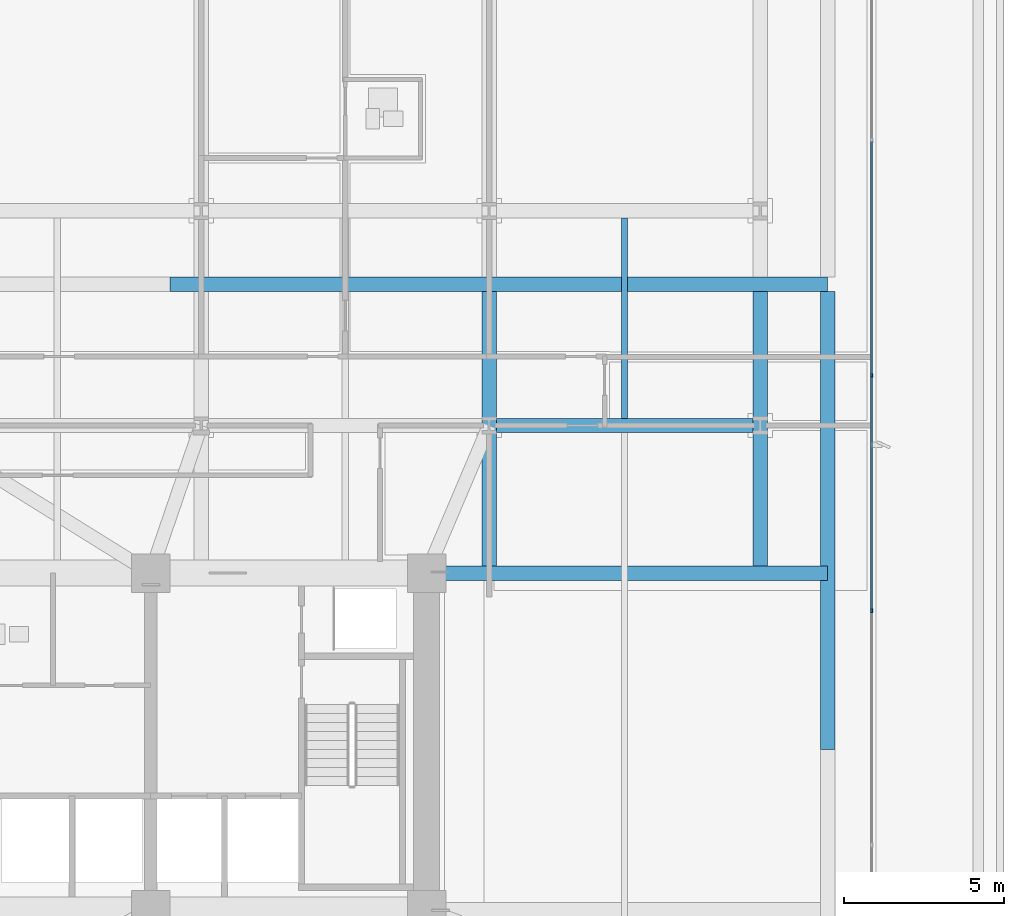
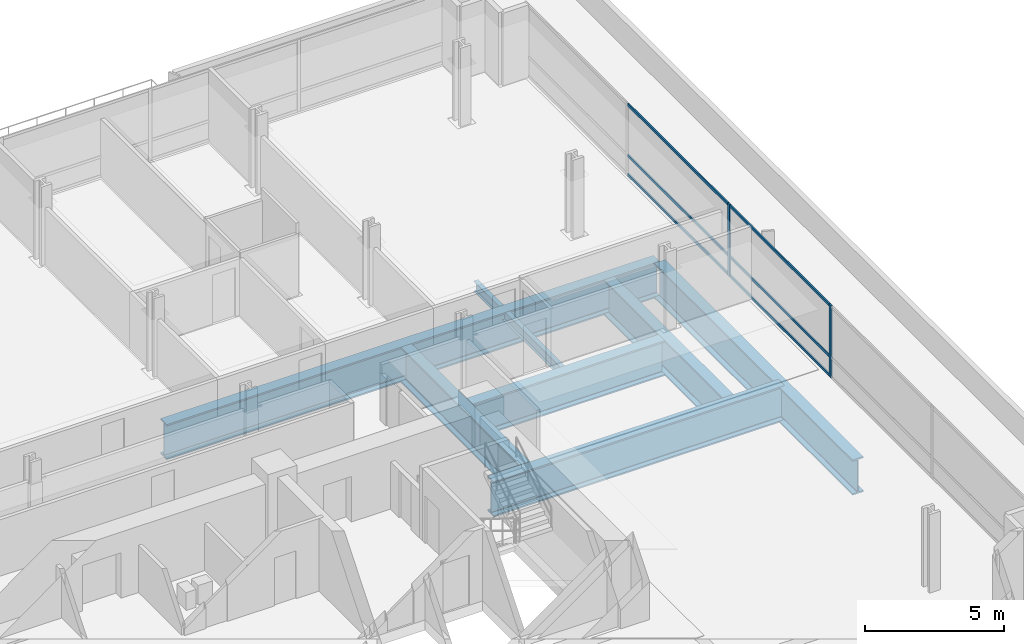
# One storey, part 10 of 25: 8 members, 7 beams, 1 element without a shape of its own.
"""IFC4 building model written with IfcOpenShell, lengths in metres."""

from ifc_helpers import new_model, si_unit, direction, frame, origin, origin_2d, place, context, subcontext, project, spatial, rectangle, i_section, extrude, material, material_profile, profile_set, type_object, element, aggregate, save


model = new_model("IFC4")

# Units and contexts
model_context = context("Model", 3, precision=1e-05, world=origin(), true_north=direction((0.0, 1.0)))
body_context = subcontext(model_context, "Body", "Model", "MODEL_VIEW")
ifc_project = project(units=[si_unit("LENGTHUNIT", "METRE"), si_unit("AREAUNIT", "SQUARE_METRE"), si_unit("VOLUMEUNIT", "CUBIC_METRE"), si_unit("PLANEANGLEUNIT", "RADIAN"), si_unit("MASSUNIT", "GRAM", prefix="KILO")], contexts=[model_context])

# Site, building, storey
site_placement = place(None, origin())
site = spatial("IfcSite", under=ifc_project, at=site_placement, CompositionType="ELEMENT")
building_placement = place(site_placement, origin())
building = spatial("IfcBuilding", under=site, at=building_placement, Name="Solmavex Isthmus Hotel", CompositionType="ELEMENT")
storey_placement = place(building_placement, frame((0.0, 0.0, 26.39990234375)))
storey = spatial("IfcBuildingStorey", under=building, at=storey_placement, Name="L06", CompositionType="ELEMENT", Elevation=26.39990234375)

# Beams
ifc_material_1 = material(Name="Steel ASTM A992 Grade 50", Category="steel")
ifc_material_profile_1 = material_profile(ifc_material_1, i_section(OverallWidth=0.1904296875, OverallDepth=0.456787109375, WebThickness=0.009033203125, FlangeThickness=0.014404296875, FilletRadius=0.0126953125, at=origin_2d()), Name="W18X50")
ifc_profile_set_1 = profile_set([ifc_material_profile_1], Name="Steel ASTM A992 Grade 50")
beam_type_1 = type_object("IfcBeamType", Name="BM-BJ-W18X50", PredefinedType="JOIST", material=ifc_profile_set_1)
beam_1_placement = place(storey_placement, frame((22.176025390625, 2.324951171875, -0.678466796875), z_axis=(0.0, 1.0, 0.0), x_axis=(-1.0, 0.0, 0.0)))
element("IfcBeam", 1, at=beam_1_placement, inside=storey, type_object=beam_type_1, Name="Secondary Floor Joist L06-J16", PredefinedType="JOIST", context=body_context, shape_type="SweptSolid", body=[
    extrude(i_section(OverallWidth=0.1904296875, OverallDepth=0.456787109375, WebThickness=0.009033203125, FlangeThickness=0.014404296875, FilletRadius=0.0126953125, at=origin_2d()), origin(), (0.0, 0.0, 1.0), 6.238037109375),
])
ifc_material_2 = material(Name="Steel ASTM A572 Grade 50", Category="steel")
ifc_material_profile_2 = material_profile(ifc_material_2, i_section(OverallWidth=0.449951171875, OverallDepth=1.550048828125, WebThickness=0.031982421875, FlangeThickness=0.06494140625, FilletRadius=0.030517578125, at=origin_2d()), Name="I1550X450")
ifc_profile_set_2 = profile_set([ifc_material_profile_2], Name="Steel ASTM A572 Grade 50")
beam_type_2 = type_object("IfcBeamType", Name="BM-TB-G1550", PredefinedType="BEAM", material=ifc_profile_set_2)
beam_2_placement = place(storey_placement, frame((8.0, 6.5, -1.224853515625), z_axis=(1.0, 0.0, 0.0), x_axis=(0.0, 1.0, 0.0)))
element("IfcBeam", 2, at=beam_2_placement, inside=storey, type_object=beam_type_2, Name="Podium-to-Tower Mega Transfer Girder L06-MG09", PredefinedType="BEAM", context=body_context, shape_type="SweptSolid", body=[
    extrude(i_section(OverallWidth=0.449951171875, OverallDepth=1.550048828125, WebThickness=0.031982421875, FlangeThickness=0.06494140625, FilletRadius=0.030517578125, at=origin_2d()), origin(), (0.0, 0.0, 1.0), 20.5),
])
beam_3_placement = place(storey_placement, frame((16.39990234375, -2.5, -1.224853515625), z_axis=(1.0, 0.0, 0.0), x_axis=(0.0, 1.0, 0.0)))
element("IfcBeam", 3, at=beam_3_placement, inside=storey, type_object=beam_type_2, Name="Podium-to-Tower Mega Transfer Girder L06-MG16", PredefinedType="BEAM", context=body_context, shape_type="SweptSolid", body=[
    extrude(i_section(OverallWidth=0.449951171875, OverallDepth=1.550048828125, WebThickness=0.031982421875, FlangeThickness=0.06494140625, FilletRadius=0.030517578125, at=origin_2d()), origin(), (0.0, 0.0, 1.0), 12.10009765625),
])
beam_4_placement = place(storey_placement, frame((28.5, -8.0, -1.224853515625), z_axis=(0.0, 1.0, 0.0), x_axis=(-1.0, 0.0, 0.0)))
element("IfcBeam", 4, at=beam_4_placement, inside=storey, type_object=beam_type_2, Name="Podium-to-Tower Mega Transfer Girder L06-MG23", PredefinedType="BEAM", context=body_context, shape_type="SweptSolid", body=[
    extrude(i_section(OverallWidth=0.449951171875, OverallDepth=1.550048828125, WebThickness=0.031982421875, FlangeThickness=0.06494140625, FilletRadius=0.030517578125, at=origin_2d()), origin(), (0.0, 0.0, 1.0), 14.27490234375),
])
for number, where, z_axis, x_axis, name in (
    (5, (17.951904296875, -2.27490234375, -1.224853515625), (0.0, 1.0, 0.0), (-1.0, 0.0, 0.0), "Tower Column Root Transfer Girder L06-MNS6B"),
    (6, (26.39990234375, -2.27490234375, -1.224853515625), (0.0, 1.0, 0.0), (-1.0, 0.0, 0.0), "Tower Column Root Transfer Girder L06-MNS7B"),
):
    element("IfcBeam", number, at=place(storey_placement, frame(where, z_axis=z_axis, x_axis=x_axis)), inside=storey, type_object=beam_type_2, Name=name, PredefinedType="BEAM", context=body_context, shape_type="SweptSolid", body=[
        extrude(i_section(OverallWidth=0.449951171875, OverallDepth=1.550048828125, WebThickness=0.031982421875, FlangeThickness=0.06494140625, FilletRadius=0.030517578125, at=origin_2d()), origin(), (0.0, 0.0, 1.0), 8.5498046875),
    ])
beam_5_placement = place(storey_placement, frame((18.177001953125, 2.10009765625, -1.224853515625), z_axis=(1.0, 0.0, 0.0), x_axis=(0.0, 1.0, 0.0)))
element("IfcBeam", 7, at=beam_5_placement, inside=storey, type_object=beam_type_2, Name="Outrigger Collector Girder L06-UG12", PredefinedType="BEAM", context=body_context, shape_type="SweptSolid", body=[
    extrude(i_section(OverallWidth=0.449951171875, OverallDepth=1.550048828125, WebThickness=0.031982421875, FlangeThickness=0.06494140625, FilletRadius=0.030517578125, at=origin_2d()), origin(), (0.0, 0.0, 1.0), 7.998046875),
])

# Curtain wall, members
ifc_material_3 = material(Name="Aluminium alloy 6063-T6", Category="aluminium")
curtain_wall_type = type_object("IfcCurtainWallType", Name="CW-SYS-06", PredefinedType="NOTDEFINED", material=ifc_material_3)
curtain_wall_placement = place(storey_placement, origin())
curtain_wall = element("IfcCurtainWall", 8, at=curtain_wall_placement, inside=storey, type_object=curtain_wall_type, Name="Stick Curtain Wall CWL-L06-E1", PredefinedType="NOTDEFINED")
ifc_material_profile_3 = material_profile(ifc_material_3, rectangle(XDim=0.06005859375, YDim=0.139892578125, at=origin_2d()), Name="CWM-60X140")
ifc_profile_set_3 = profile_set([ifc_material_profile_3], Name="Aluminium alloy 6063-T6")
member_type_1 = type_object("IfcMemberType", Name="CW-SYS-06-MUL", PredefinedType="MULLION", material=ifc_profile_set_3)
member_1_placement = place(storey_placement, frame((29.8798828125, -3.659912109375, 0.0), z_axis=(0.0, 0.0, 1.0), x_axis=(-1.0, 0.0, 0.0)))
member_1 = element("IfcMember", 9, at=member_1_placement, type_object=member_type_1, Name="CW-06 mullion 3", PredefinedType="MULLION", context=body_context, shape_type="SweptSolid", body=[
    extrude(rectangle(XDim=0.06005859375, YDim=0.139892578125, at=origin_2d()), origin(), (0.0, 0.0, 1.0), 3.190185546875),
])
member_2_placement = place(storey_placement, frame((29.8798828125, 3.659912109375, 0.0), z_axis=(0.0, 0.0, 1.0), x_axis=(-1.0, 0.0, 0.0)))
member_2 = element("IfcMember", 10, at=member_2_placement, type_object=member_type_1, Name="CW-06 mullion 4", PredefinedType="MULLION", context=body_context, shape_type="SweptSolid", body=[
    extrude(rectangle(XDim=0.06005859375, YDim=0.139892578125, at=origin_2d()), origin(), (0.0, 0.0, 1.0), 3.190185546875),
])
ifc_material_profile_4 = material_profile(ifc_material_3, rectangle(XDim=0.06005859375, YDim=0.114990234375, at=origin_2d()), Name="CWT-60X115")
ifc_profile_set_4 = profile_set([ifc_material_profile_4], Name="Aluminium alloy 6063-T6")
member_type_2 = type_object("IfcMemberType", Name="CW-SYS-06-TRN", PredefinedType="USERDEFINED", material=ifc_profile_set_4)
member_3_placement = place(storey_placement, frame((29.8798828125, -3.6298828125, 0.0576171875), z_axis=(0.0, 1.0, 0.0), x_axis=(-1.0, 0.0, 0.0)))
member_3 = element("IfcMember", 11, at=member_3_placement, type_object=member_type_2, Name="CW-06 transom 3.1", ObjectType="TRANSOM", PredefinedType="USERDEFINED", context=body_context, shape_type="SweptSolid", body=[
    extrude(rectangle(XDim=0.06005859375, YDim=0.114990234375, at=origin_2d()), origin(), (0.0, 0.0, 1.0), 7.259765625),
])
member_4_placement = place(storey_placement, frame((29.8798828125, -3.6298828125, 0.900146484375), z_axis=(0.0, 1.0, 0.0), x_axis=(-1.0, 0.0, 0.0)))
member_4 = element("IfcMember", 12, at=member_4_placement, type_object=member_type_2, Name="CW-06 transom 3.2", ObjectType="TRANSOM", PredefinedType="USERDEFINED", context=body_context, shape_type="SweptSolid", body=[
    extrude(rectangle(XDim=0.06005859375, YDim=0.114990234375, at=origin_2d()), origin(), (0.0, 0.0, 1.0), 7.259765625),
])
member_5_placement = place(storey_placement, frame((29.8798828125, -3.6298828125, 3.132568359375), z_axis=(0.0, 1.0, 0.0), x_axis=(-1.0, 0.0, 0.0)))
member_5 = element("IfcMember", 13, at=member_5_placement, type_object=member_type_2, Name="CW-06 transom 3.3", ObjectType="TRANSOM", PredefinedType="USERDEFINED", context=body_context, shape_type="SweptSolid", body=[
    extrude(rectangle(XDim=0.06005859375, YDim=0.114990234375, at=origin_2d()), origin(), (0.0, 0.0, 1.0), 7.259765625),
])
member_6_placement = place(storey_placement, frame((29.8798828125, 3.68994140625, 0.0576171875), z_axis=(0.0, 1.0, 0.0), x_axis=(-1.0, 0.0, 0.0)))
member_6 = element("IfcMember", 14, at=member_6_placement, type_object=member_type_2, Name="CW-06 transom 4.1", ObjectType="TRANSOM", PredefinedType="USERDEFINED", context=body_context, shape_type="SweptSolid", body=[
    extrude(rectangle(XDim=0.06005859375, YDim=0.114990234375, at=origin_2d()), origin(), (0.0, 0.0, 1.0), 7.260009765625),
])
member_7_placement = place(storey_placement, frame((29.8798828125, 3.68994140625, 0.900146484375), z_axis=(0.0, 1.0, 0.0), x_axis=(-1.0, 0.0, 0.0)))
member_7 = element("IfcMember", 15, at=member_7_placement, type_object=member_type_2, Name="CW-06 transom 4.2", ObjectType="TRANSOM", PredefinedType="USERDEFINED", context=body_context, shape_type="SweptSolid", body=[
    extrude(rectangle(XDim=0.06005859375, YDim=0.114990234375, at=origin_2d()), origin(), (0.0, 0.0, 1.0), 7.260009765625),
])
member_8_placement = place(storey_placement, frame((29.8798828125, 3.68994140625, 3.132568359375), z_axis=(0.0, 1.0, 0.0), x_axis=(-1.0, 0.0, 0.0)))
member_8 = element("IfcMember", 16, at=member_8_placement, type_object=member_type_2, Name="CW-06 transom 4.3", ObjectType="TRANSOM", PredefinedType="USERDEFINED", context=body_context, shape_type="SweptSolid", body=[
    extrude(rectangle(XDim=0.06005859375, YDim=0.114990234375, at=origin_2d()), origin(), (0.0, 0.0, 1.0), 7.260009765625),
])
aggregate(curtain_wall, [member_1, member_2, member_3, member_4, member_5, member_6, member_7, member_8])

save(model, "model.ifc")
